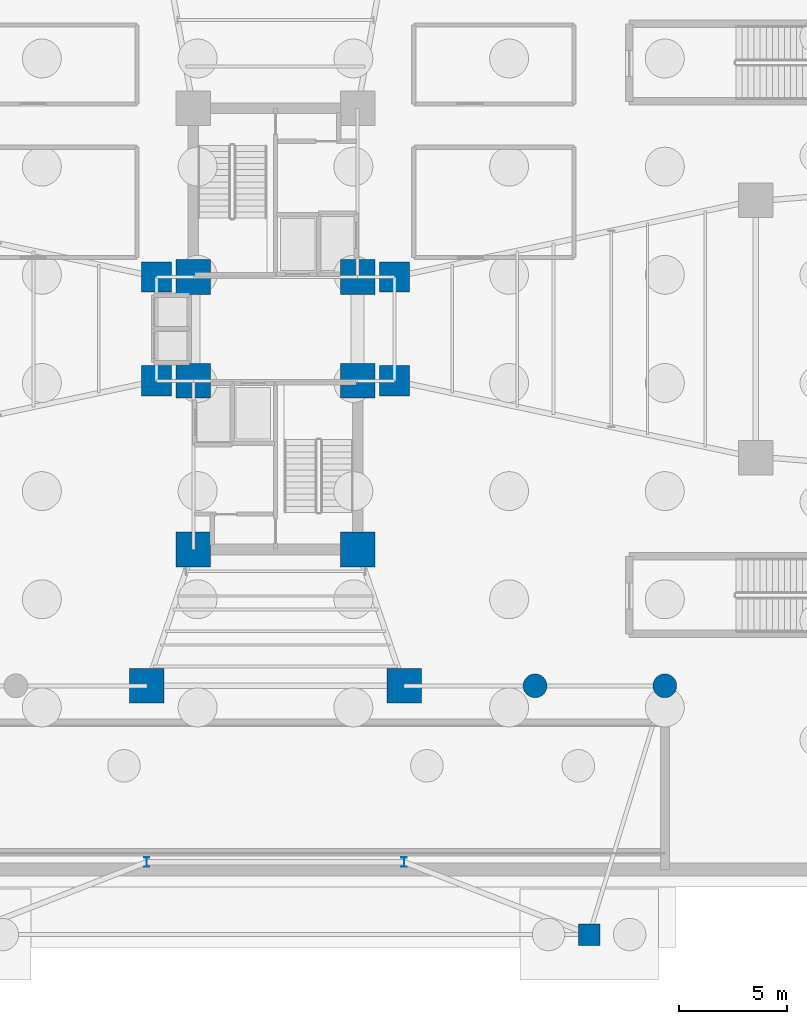
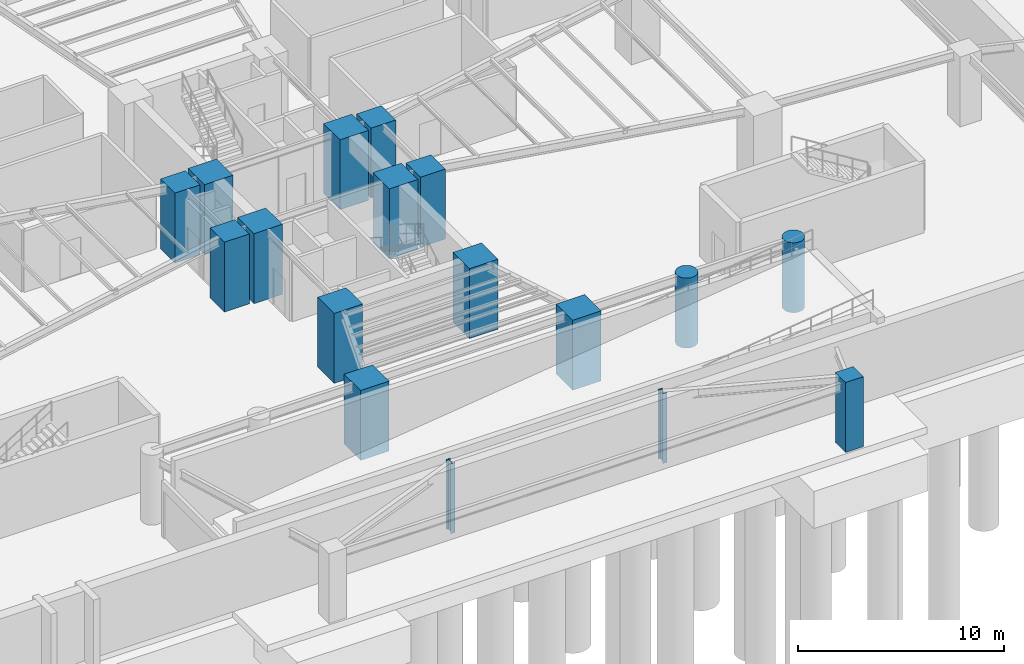
# One storey, part 2 of 15: 17 columns.
"""IFC4 building model written with IfcOpenShell, lengths in metres."""

import ifcopenshell
import ifcopenshell.guid

model = None  # the IFC model being written
_history = None  # IfcOwnerHistory: only IFC2X3 demands one
_inside = {}  # id of a spatial element -> (the spatial element, [elements in it])
_under = {}  # id of a project, library or spatial element -> (it, [spatial elements below it])
_declared = {}  # id of a project -> (the project, [libraries it declares])
_typed = {}  # id of a type object -> (the type object, [elements of that type])
_made_of = {}  # id of a material, layer set ... -> (it, [elements and type objects made of it])


def new_model(schema):
    """Start an empty IFC model of exactly this schema.

    Asked for "IFC4X3", IfcOpenShell would pick the latest addendum, in which some entities
    have other attributes; the version numbers below select the first issue.
    IFC2X3 requires an IfcOwnerHistory on every rooted entity: one is made here for all.
    """
    global model, _history
    if schema == "IFC4X3":
        model = ifcopenshell.file(schema_version=(4, 3, 0, 0))
    else:
        model = ifcopenshell.file(schema=schema)
    _inside.clear()
    _under.clear()
    _declared.clear()
    _typed.clear()
    _made_of.clear()
    _history = None
    if model.schema == "IFC2X3":
        org = make("IfcOrganization", Name="unknown")
        user = make(
            "IfcPersonAndOrganization",
            ThePerson=make("IfcPerson", FamilyName="unknown"),
            TheOrganization=org,
        )
        app = make(
            "IfcApplication",
            ApplicationDeveloper=org,
            Version="unknown",
            ApplicationFullName="unknown",
            ApplicationIdentifier="unknown",
        )
        _history = make(
            "IfcOwnerHistory",
            OwningUser=user,
            OwningApplication=app,
            ChangeAction="ADDED",
            CreationDate=0,
        )
    return model


def make(cls, **values):
    """One entity of the class cls with the attributes given. An attribute that is None is left unset."""
    return model.create_entity(
        cls, **{name: value for name, value in values.items() if value is not None}
    )


def rooted(cls, **values):
    """An entity with a GlobalId (a new one), such as an element, a storey or a relation."""
    return make(cls, GlobalId=ifcopenshell.guid.new(), OwnerHistory=_history, **values)


def si_unit(unit_type, name, prefix=None):
    """IfcSIUnit, for example si_unit("LENGTHUNIT", "METRE", prefix="MILLI")."""
    return make("IfcSIUnit", UnitType=unit_type, Prefix=prefix, Name=name)


def assignment(units):
    """IfcUnitAssignment: the units of a project."""
    return None if units is None else make("IfcUnitAssignment", Units=units)


def point(xyz):
    """IfcCartesianPoint."""
    return None if xyz is None else make("IfcCartesianPoint", Coordinates=xyz)


def direction(xyz):
    """IfcDirection."""
    return None if xyz is None else make("IfcDirection", DirectionRatios=xyz)


def frame(location, z_axis=None, x_axis=None):
    """IfcAxis2Placement3D, a coordinate frame: its origin and axes. An axis left out is left unset."""
    return make(
        "IfcAxis2Placement3D",
        Location=point(location),
        Axis=direction(z_axis),
        RefDirection=direction(x_axis),
    )


def frame_2d(location, x_axis=None):
    """IfcAxis2Placement2D, a coordinate frame in the plane: its origin and x axis."""
    return make(
        "IfcAxis2Placement2D", Location=point(location), RefDirection=direction(x_axis)
    )


def origin():
    """The frame at (0, 0, 0) with its axes left unset."""
    return frame((0.0, 0.0, 0.0))


def origin_2d():
    """The frame at (0, 0) in the plane with its x axis left unset."""
    return frame_2d((0.0, 0.0))


def place(relative_to, where):
    """IfcLocalPlacement: puts the frame where relative to a parent placement (None: the world)."""
    return make(
        "IfcLocalPlacement", PlacementRelTo=relative_to, RelativePlacement=where
    )


def context(
    kind, dimensions, precision=None, world=None, true_north=None, identifier=None
):
    """IfcGeometricRepresentationContext, for example the 3D "Model" context."""
    return make(
        "IfcGeometricRepresentationContext",
        ContextIdentifier=identifier,
        ContextType=kind,
        CoordinateSpaceDimension=dimensions,
        Precision=precision,
        WorldCoordinateSystem=world,
        TrueNorth=true_north,
    )


def subcontext(parent, identifier, kind, view, scale=None):
    """IfcGeometricRepresentationSubContext, for example "Body" below "Model"."""
    return make(
        "IfcGeometricRepresentationSubContext",
        ContextIdentifier=identifier,
        ContextType=kind,
        ParentContext=parent,
        TargetScale=scale,
        TargetView=view,
    )


def project(units=None, contexts=None):
    """IfcProject with its units and contexts."""
    return rooted(
        "IfcProject",
        Name="project",
        RepresentationContexts=contexts,
        UnitsInContext=assignment(units),
    )


def spatial(cls, under=None, at=None, **own):
    """A site, building, storey or space (cls), placed at a placement, below another one or the project."""
    s = rooted(cls, ObjectPlacement=at, **own)
    if under is not None:
        _under.setdefault(under.id(), (under, []))[1].append(s)
    return s


def profile(cls, at=None, kind="AREA", **sizes):
    """A parametric profile (cls). Its sizes go by their IFC names, for example OverallWidth=200.0."""
    return make(cls, ProfileType=kind, Position=at, **sizes)


def rectangle(**sizes):
    """IfcRectangleProfileDef."""
    return profile("IfcRectangleProfileDef", **sizes)


def circle(**sizes):
    """IfcCircleProfileDef."""
    return profile("IfcCircleProfileDef", **sizes)


def i_section(**sizes):
    """IfcIShapeProfileDef."""
    return profile("IfcIShapeProfileDef", **sizes)


def extrude(swept, where, along, depth):
    """IfcExtrudedAreaSolid: the profile swept, set in the frame where, extruded along a direction by depth."""
    return make(
        "IfcExtrudedAreaSolid",
        SweptArea=swept,
        Position=where,
        ExtrudedDirection=direction(along),
        Depth=depth,
    )


def shape(context_of_items, identifier, shape_type, items):
    """IfcShapeRepresentation: the items that make up one representation, for example the "Body"."""
    return make(
        "IfcShapeRepresentation",
        ContextOfItems=context_of_items,
        RepresentationIdentifier=identifier,
        RepresentationType=shape_type,
        Items=items,
    )


def source(mapping_origin, context_of_items, identifier, shape_type, items):
    """IfcRepresentationMap: a shape defined once, which mapped items show again and again."""
    return make(
        "IfcRepresentationMap",
        MappingOrigin=mapping_origin,
        MappedRepresentation=shape(context_of_items, identifier, shape_type, items),
    )


def transform(
    local_origin,
    x_axis=None,
    y_axis=None,
    z_axis=None,
    scale=None,
    scale2=None,
    scale3=None,
    uniform=True,
):
    """IfcCartesianTransformationOperator3D, or its non-uniform kind. x_axis, y_axis, z_axis: its Axis1, 2, 3."""
    if uniform:
        return make(
            "IfcCartesianTransformationOperator3D",
            Axis1=direction(x_axis),
            Axis2=direction(y_axis),
            LocalOrigin=point(local_origin),
            Scale=scale,
            Axis3=direction(z_axis),
        )
    return make(
        "IfcCartesianTransformationOperator3DnonUniform",
        Axis1=direction(x_axis),
        Axis2=direction(y_axis),
        LocalOrigin=point(local_origin),
        Scale=scale,
        Axis3=direction(z_axis),
        Scale2=scale2,
        Scale3=scale3,
    )


def mapped(mapping_source, mapping_target):
    """IfcMappedItem: shows the shape of a source again, moved by a transform."""
    return make(
        "IfcMappedItem", MappingSource=mapping_source, MappingTarget=mapping_target
    )


def material(Name=None, Category=None):
    """IfcMaterial."""
    return make("IfcMaterial", Name=Name, Category=Category)


def material_profile(
    of_material, cross_section, Name=None, Category=None, Priority=None
):
    """IfcMaterialProfile: a cross section and its material."""
    return make(
        "IfcMaterialProfile",
        Name=Name,
        Material=of_material,
        Profile=cross_section,
        Priority=Priority,
        Category=Category,
    )


def profile_set(profiles, Name=None, composite=None):
    """IfcMaterialProfileSet."""
    return make(
        "IfcMaterialProfileSet",
        Name=Name,
        MaterialProfiles=profiles,
        CompositeProfile=composite,
    )


def made_of(thing, what):
    """Note that an element or type object is made of a material, layer set ...; save() writes the relation."""
    if what is not None:
        _made_of.setdefault(what.id(), (what, []))[1].append(thing)
    return thing


def type_object(cls, material=None, **own):
    """A type object (cls), such as IfcWallType, which elements share."""
    return made_of(rooted(cls, **own), material)


def element(
    cls,
    number,
    at=None,
    inside=None,
    cuts=None,
    type_object=None,
    material=None,
    context=None,
    identifier="Body",
    shape_type=None,
    held_by="IfcProductDefinitionShape",
    body=None,
    shapes=None,
    **own,
):
    """One element of the class cls, such as IfcWall. Its Tag is "e" and its number.

    at: its placement. inside: the storey or other place that contains it. cuts: it is an
    opening in that element (IfcRelVoidsElement). A single representation is given by context,
    identifier, shape_type and body (its items); several are given by shapes. held_by: the class
    of the entity that holds the representations. save() writes the other relations.
    """
    e = rooted(cls, Tag="e%d" % number, ObjectPlacement=at, **own)
    if body is not None:
        shapes = [shape(context, identifier, shape_type, body)]
    if shapes is not None:
        e.Representation = make(held_by, Representations=shapes)
    if inside is not None:
        _inside.setdefault(inside.id(), (inside, []))[1].append(e)
    if cuts is not None:
        rooted(
            "IfcRelVoidsElement", RelatingBuildingElement=cuts, RelatedOpeningElement=e
        )
    if type_object is not None:
        _typed.setdefault(type_object.id(), (type_object, []))[1].append(e)
    return made_of(e, material)


def aggregate(whole, parts):
    """IfcRelAggregates: a whole, such as a stair, and the parts it consists of."""
    return rooted("IfcRelAggregates", RelatingObject=whole, RelatedObjects=parts)


def save(model, path):
    """Write the relations noted so far, then the file.

    IfcRelAggregates (storeys below a building ...), IfcRelContainedInSpatialStructure (elements
    in a storey), IfcRelDefinesByType, IfcRelAssociatesMaterial and IfcRelDeclares: one each for
    every whole, place, type object, material and project.
    """
    for whole, parts in _under.values():
        aggregate(whole, parts)
    for where, things in _inside.values():
        rooted(
            "IfcRelContainedInSpatialStructure",
            RelatedElements=things,
            RelatingStructure=where,
        )
    for kind, things in _typed.values():
        rooted("IfcRelDefinesByType", RelatedObjects=things, RelatingType=kind)
    for what, things in _made_of.values():
        rooted("IfcRelAssociatesMaterial", RelatedObjects=things, RelatingMaterial=what)
    for by, libraries in _declared.values():
        rooted("IfcRelDeclares", RelatingContext=by, RelatedDefinitions=libraries)
    model.write(path)


model = new_model("IFC4")

# Units and contexts
model_context = context("Model", 3, precision=1e-05, world=origin(), true_north=direction((0.0, 1.0)))
body_context = subcontext(model_context, "Body", "Model", "MODEL_VIEW")
ifc_project = project(units=[si_unit("LENGTHUNIT", "METRE"), si_unit("AREAUNIT", "SQUARE_METRE"), si_unit("VOLUMEUNIT", "CUBIC_METRE"), si_unit("PLANEANGLEUNIT", "RADIAN"), si_unit("MASSUNIT", "GRAM", prefix="KILO")], contexts=[model_context])

# Site, building, storey
site_placement = place(None, origin())
site = spatial("IfcSite", under=ifc_project, at=site_placement, CompositionType="ELEMENT")
building_placement = place(site_placement, origin())
building = spatial("IfcBuilding", under=site, at=building_placement, Name="Sahyath Konkavel Grand Hotel", CompositionType="ELEMENT")
storey_placement = place(building_placement, frame((0.0, 0.0, -9.0)))
storey = spatial("IfcBuildingStorey", under=building, at=storey_placement, Name="B2", CompositionType="ELEMENT", Elevation=-9.0)

# Columns
ifc_material_1 = material(Name="Concrete C70/85", Category="concrete")
ifc_material_profile_1 = material_profile(ifc_material_1, rectangle(XDim=1.60009765625, YDim=1.60009765625, at=origin_2d()), Name="RC 1600x1600")
ifc_profile_set_1 = profile_set([ifc_material_profile_1], Name="Concrete C70/85")
column_type_1 = type_object("IfcColumnType", Name="COL-RC1600", PredefinedType="COLUMN", material=ifc_profile_set_1)
shared_shape_1 = source(origin(), body_context, "Body", "SweptSolid", [
    extrude(rectangle(XDim=1.60009765625, YDim=1.60009765625, at=origin_2d()), origin(), (0.0, 0.0, 1.0), 4.14990234375),
])
for number, where, z_axis, x_axis, name in (
    (1, (-3.800048828125, 2.39990234375, 0.0), (0.0, 0.0, 1.0), (1.0, 0.0, 0.0), "B2 Core Boundary Column NC-SW"),
    (2, (3.800048828125, 2.39990234375, 0.0), (0.0, 0.0, 1.0), (1.0, 0.0, 0.0), "B2 Core Boundary Column NC-SE"),
    (3, (-3.800048828125, -2.39990234375, 0.0), (0.0, 0.0, 1.0), (1.0, 0.0, 0.0), "B2 Core Boundary Column SC-NW"),
    (4, (3.800048828125, -2.39990234375, 0.0), (0.0, 0.0, 1.0), (1.0, 0.0, 0.0), "B2 Core Boundary Column SC-NE"),
    (5, (-3.800048828125, -10.199951171875, 0.0), (0.0, 0.0, 1.0), (1.0, 0.0, 0.0), "B2 Core Boundary Column SC-SW"),
    (6, (3.800048828125, -10.199951171875, 0.0), (0.0, 0.0, 1.0), (1.0, 0.0, 0.0), "B2 Core Boundary Column SC-SE"),
    (7, (-5.949951171875, -16.5, 0.0), (0.0, 0.0, 1.0), (1.0, 0.0, 0.0), "B2 Ballroom Mega-Column MC-SA"),
    (8, (5.949951171875, -16.5, 0.0), (0.0, 0.0, 1.0), (1.0, 0.0, 0.0), "B2 Ballroom Mega-Column MC-SB"),
):
    element("IfcColumn", number, at=place(storey_placement, frame(where, z_axis=z_axis, x_axis=x_axis)), inside=storey, type_object=column_type_1, Name=name, PredefinedType="COLUMN", context=body_context, shape_type="MappedRepresentation", body=[
        mapped(shared_shape_1, transform((0.0, 0.0, 0.0), scale=1.0)),
    ])
ifc_material_profile_2 = material_profile(ifc_material_1, rectangle(XDim=1.39990234375, YDim=1.39990234375, at=origin_2d()), Name="RC 1400x1400")
ifc_profile_set_2 = profile_set([ifc_material_profile_2], Name="Concrete C70/85")
column_type_2 = type_object("IfcColumnType", Name="COL-RC1400", PredefinedType="COLUMN", material=ifc_profile_set_2)
shared_shape_2 = source(origin(), body_context, "Body", "SweptSolid", [
    extrude(rectangle(XDim=1.39990234375, YDim=1.39990234375, at=origin_2d()), origin(), (0.0, 0.0, 1.0), 4.14990234375),
])
for number, where, z_axis, x_axis, name in (
    (9, (5.5, 2.39990234375, 0.0), (0.0, 0.0, 1.0), (1.0, 0.0, 0.0), "B2 Central Spine Column HB-NE"),
    (10, (-5.5, 2.39990234375, 0.0), (0.0, 0.0, 1.0), (1.0, 0.0, 0.0), "B2 Central Spine Column HB-NW"),
    (11, (5.5, -2.39990234375, 0.0), (0.0, 0.0, 1.0), (1.0, 0.0, 0.0), "B2 Central Spine Column HB-SE"),
    (12, (-5.5, -2.39990234375, 0.0), (0.0, 0.0, 1.0), (1.0, 0.0, 0.0), "B2 Central Spine Column HB-SW"),
):
    element("IfcColumn", number, at=place(storey_placement, frame(where, z_axis=z_axis, x_axis=x_axis)), inside=storey, type_object=column_type_2, Name=name, PredefinedType="COLUMN", context=body_context, shape_type="MappedRepresentation", body=[
        mapped(shared_shape_2, transform((0.0, 0.0, 0.0), scale=1.0)),
    ])
ifc_material_2 = material(Name="Steel E450", Category="steel")
ifc_material_profile_3 = material_profile(ifc_material_2, i_section(OverallWidth=0.25, OverallDepth=0.449951171875, WebThickness=0.013671875, FlangeThickness=0.013671875, FilletRadius=0.014892578125, at=origin_2d()), Name="ISHB 450")
ifc_profile_set_3 = profile_set([ifc_material_profile_3], Name="Steel E450")
column_type_3 = type_object("IfcColumnType", Name="COL-ISHB450", PredefinedType="COLUMN", material=ifc_profile_set_3)
shared_shape_3 = source(origin(), body_context, "Body", "SweptSolid", [
    extrude(i_section(OverallWidth=0.25, OverallDepth=0.449951171875, WebThickness=0.013671875, FlangeThickness=0.013671875, FilletRadius=0.014892578125, at=origin_2d()), origin(), (0.0, 0.0, 1.0), 4.14990234375),
])
for number, where, z_axis, x_axis, name in (
    (13, (-5.949951171875, -24.64990234375, 0.0), (0.0, 0.0, 1.0), (1.0, 0.0, 0.0), "B2 Ballroom Mega-Column MC-SA2"),
    (14, (5.949951171875, -24.64990234375, 0.0), (0.0, 0.0, 1.0), (1.0, 0.0, 0.0), "B2 Ballroom Mega-Column MC-SB2"),
):
    element("IfcColumn", number, at=place(storey_placement, frame(where, z_axis=z_axis, x_axis=x_axis)), inside=storey, type_object=column_type_3, Name=name, PredefinedType="COLUMN", context=body_context, shape_type="MappedRepresentation", body=[
        mapped(shared_shape_3, transform((0.0, 0.0, 0.0), scale=1.0)),
    ])
ifc_material_profile_4 = material_profile(ifc_material_1, circle(Radius=0.550048828125, at=origin_2d()), Name="RC D1100")
ifc_profile_set_4 = profile_set([ifc_material_profile_4], Name="Concrete C70/85")
column_type_4 = type_object("IfcColumnType", Name="COL-RCD1100", PredefinedType="COLUMN", material=ifc_profile_set_4)
shared_shape_4 = source(origin(), body_context, "Body", "SweptSolid", [
    extrude(circle(Radius=0.550048828125, at=origin_2d()), origin(), (0.0, 0.0, 1.0), 4.14990234375),
])
for number, where, z_axis, x_axis, name in (
    (15, (12.0, -16.5, 0.0), (0.0, 0.0, 1.0), (1.0, 0.0, 0.0), "B2 Sandstone Colonnade Pier CL-S3"),
    (16, (18.0, -16.5, 0.0), (0.0, 0.0, 1.0), (1.0, 0.0, 0.0), "B2 Sandstone Colonnade Pier CL-S4"),
):
    element("IfcColumn", number, at=place(storey_placement, frame(where, z_axis=z_axis, x_axis=x_axis)), inside=storey, type_object=column_type_4, Name=name, PredefinedType="COLUMN", context=body_context, shape_type="MappedRepresentation", body=[
        mapped(shared_shape_4, transform((0.0, 0.0, 0.0), scale=1.0)),
    ])
ifc_material_3 = material(Name="Concrete C50/60", Category="concrete")
ifc_material_profile_5 = material_profile(ifc_material_3, rectangle(XDim=1.0, YDim=1.0, at=origin_2d()), Name="RC 1000x1000")
ifc_profile_set_5 = profile_set([ifc_material_profile_5], Name="Concrete C50/60")
column_type_5 = type_object("IfcColumnType", Name="COL-RC1000", PredefinedType="COLUMN", material=ifc_profile_set_5)
shared_shape_5 = source(origin(), body_context, "Body", "SweptSolid", [
    extrude(rectangle(XDim=1.0, YDim=1.0, at=origin_2d()), origin(), (0.0, 0.0, 1.0), 4.14990234375),
])
column_placement = place(storey_placement, frame((14.5, -28.0, 0.0), z_axis=(0.0, 0.0, 1.0), x_axis=(1.0, 0.0, 0.0)))
element("IfcColumn", 17, at=column_placement, inside=storey, type_object=column_type_5, Name="B2 Metro Portal Wing Column PW-S2", PredefinedType="COLUMN", context=body_context, shape_type="MappedRepresentation", body=[
    mapped(shared_shape_5, transform((0.0, 0.0, 0.0), scale=1.0)),
])

save(model, "model.ifc")
